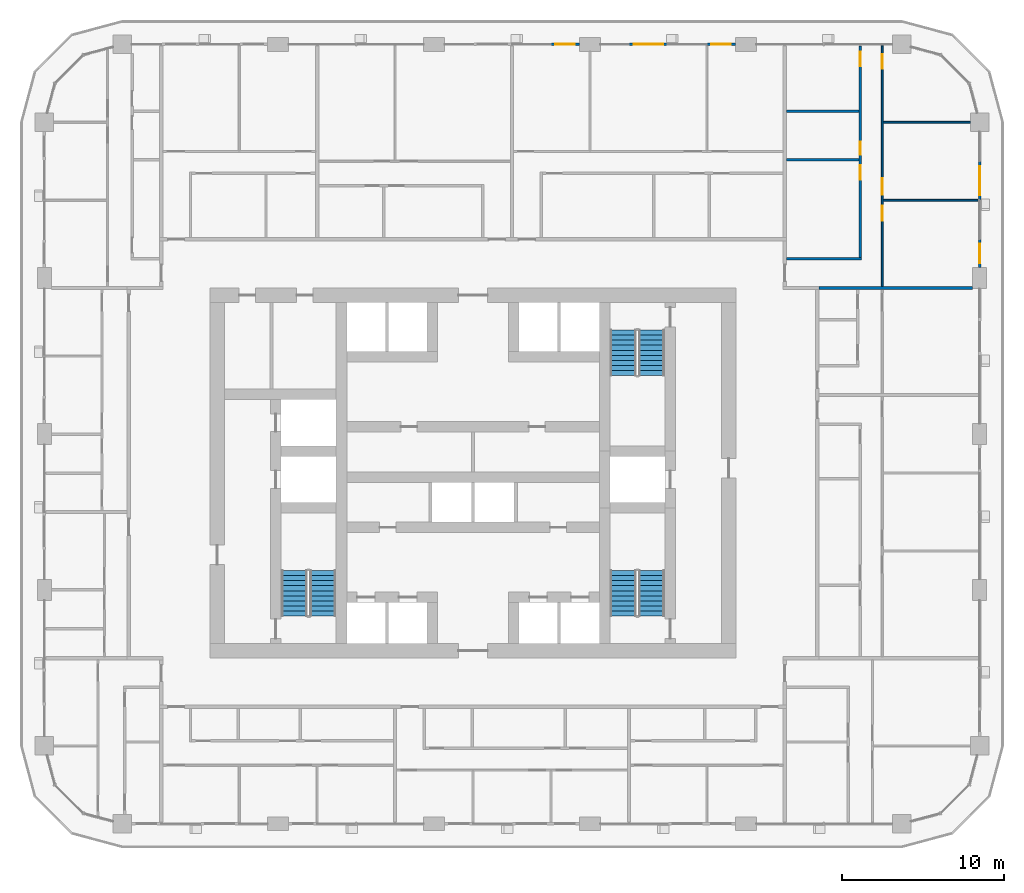
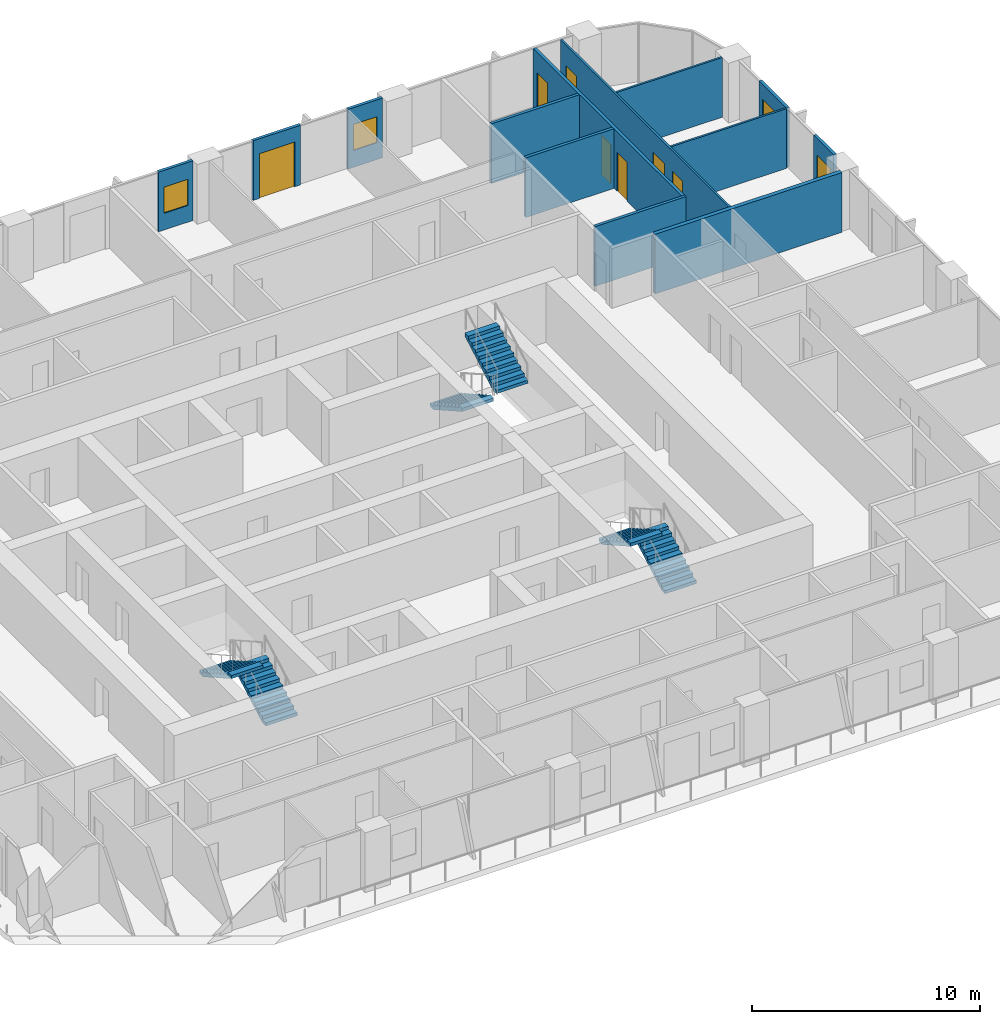
# One storey, part 15 of 21: 13 walls, 8 doors, 6 stair flights, 3 windows, 11 openings, 3 elements without a shape of their own.
"""IFC4 building model written with IfcOpenShell, lengths in metres."""

from ifc_helpers import new_model, si_unit, direction, frame, frame_2d, origin, place, context, subcontext, project, spatial, polyline, rectangle, outline, extrude, material, layer, layer_set, type_object, element, fill, aggregate, save


model = new_model("IFC4")

# Units and contexts
model_context = context("Model", 3, precision=1e-05, world=origin(), true_north=direction((0.0, 1.0)))
body_context = subcontext(model_context, "Body", "Model", "MODEL_VIEW")
ifc_project = project(units=[si_unit("LENGTHUNIT", "METRE"), si_unit("AREAUNIT", "SQUARE_METRE"), si_unit("VOLUMEUNIT", "CUBIC_METRE"), si_unit("PLANEANGLEUNIT", "RADIAN"), si_unit("MASSUNIT", "GRAM", prefix="KILO")], contexts=[model_context])

# Site, building, storey
site_placement = place(None, origin())
site = spatial("IfcSite", under=ifc_project, at=site_placement, CompositionType="ELEMENT")
building_placement = place(site_placement, origin())
building = spatial("IfcBuilding", under=site, at=building_placement, Name="Madar Terraces", CompositionType="ELEMENT")
storey_placement = place(building_placement, frame((0.0, 0.0, 106.699951171875)))
storey = spatial("IfcBuildingStorey", under=building, at=storey_placement, Name="L27", CompositionType="ELEMENT", Elevation=106.699951171875)

# Wall, opening, window
ifc_material_1 = material(Name="Aluminium composite panel, black, over insulated backing", Category="aluminium")
ifc_layer_1 = layer(ifc_material_1, 0.14990234375)
ifc_layer_set_1 = layer_set([ifc_layer_1], Name="Facade bay panel 150")
wall_type_1 = type_object("IfcWallType", Name="Facade bay panel 150", PredefinedType="SOLIDWALL", material=ifc_layer_set_1)
wall_1_placement = place(storey_placement, frame((62.39990234375, 39.050048828125, 0.0), z_axis=(0.0, 0.0, 1.0), x_axis=(0.0, 1.0, 0.0)))
wall_1 = element("IfcWall", 1, at=wall_1_placement, inside=storey, type_object=wall_type_1, Name="Facade bay panel", PredefinedType="SOLIDWALL", context=body_context, shape_type="SweptSolid", body=[
    extrude(rectangle(XDim=1.75, YDim=0.14990234375, at=frame_2d((0.875, 0.0))), origin(), (0.0, 0.0, 1.0), 3.199951171875),
])
opening_1_placement = place(wall_1_placement, frame((0.27490234375, 0.0, 0.89990234375)))
opening_1 = element("IfcOpeningElement", 2, at=opening_1_placement, cuts=wall_1, Name="Opening W1", PredefinedType="OPENING", context=body_context, shape_type="SweptSolid", body=[
    extrude(rectangle(XDim=1.199951171875, YDim=1.39990234375, at=frame_2d((0.60009765625, 0.699951171875))), frame((0.0, 0.0849609375, 0.0), z_axis=(0.0, -1.0, 0.0), x_axis=(1.0, 0.0, 0.0)), (0.0, 0.0, 1.0), 0.169921875),
])
ifc_material_2 = material(Name="Glass, clear, with black aluminium frame", Category="aluminium")
window_type = type_object("IfcWindowType", Name="Vent window 1200 x 1400", PartitioningType="SINGLE_PANEL", PredefinedType="WINDOW", material=ifc_material_2)
window_1_placement = place(opening_1_placement, origin())
window_1 = element("IfcWindow", 3, at=window_1_placement, inside=storey, type_object=window_type, Name="Operable vent window", OverallHeight=1.39990234375, OverallWidth=1.199951171875, PartitioningType="SINGLE_PANEL", PredefinedType="WINDOW", context=body_context, shape_type="SweptSolid", body=[
    extrude(rectangle(XDim=1.199951171875, YDim=1.39990234375, at=frame_2d((0.60009765625, 0.699951171875))), frame((0.0, 0.030029296875, 0.0), z_axis=(0.0, -1.0, 0.0), x_axis=(1.0, 0.0, 0.0)), (0.0, 0.0, 1.0), 0.06005859375),
])
fill(opening_1, window_1)

# Wall, opening, door
wall_2_placement = place(storey_placement, frame((62.39990234375, 43.199951171875, 0.0), z_axis=(0.0, 0.0, 1.0), x_axis=(0.0, 1.0, 0.0)))
wall_2 = element("IfcWall", 4, at=wall_2_placement, inside=storey, type_object=wall_type_1, Name="Facade bay panel", PredefinedType="SOLIDWALL", context=body_context, shape_type="SweptSolid", body=[
    extrude(rectangle(XDim=2.400146484375, YDim=0.14990234375, at=frame_2d((1.2001953125, 0.0))), origin(), (0.0, 0.0, 1.0), 3.199951171875),
])
opening_2_placement = place(wall_2_placement, frame((0.300048828125, 0.0, 0.0)))
opening_2 = element("IfcOpeningElement", 5, at=opening_2_placement, cuts=wall_2, Name="Opening ED1", PredefinedType="OPENING", context=body_context, shape_type="SweptSolid", body=[
    extrude(rectangle(XDim=1.800048828125, YDim=2.39990234375, at=frame_2d((0.89990234375, 1.199951171875))), frame((0.0, 0.0849609375, 0.0), z_axis=(0.0, -1.0, 0.0), x_axis=(1.0, 0.0, 0.0)), (0.0, 0.0, 1.0), 0.169921875),
])
ifc_material_3 = material(Name="Glass, clear, with black aluminium frame", Category="aluminium")
door_type_1 = type_object("IfcDoorType", Name="Balcony and terrace sliding door 1800 x 2400", OperationType="SLIDING_TO_LEFT", PredefinedType="DOOR", material=ifc_material_3)
door_1_placement = place(opening_2_placement, origin())
door_1 = element("IfcDoor", 6, at=door_1_placement, inside=storey, type_object=door_type_1, Name="Balcony door", OperationType="SLIDING_TO_LEFT", OverallHeight=2.39990234375, OverallWidth=1.800048828125, PredefinedType="DOOR", context=body_context, shape_type="SweptSolid", body=[
    extrude(rectangle(XDim=1.800048828125, YDim=2.39990234375, at=frame_2d((0.89990234375, 1.199951171875))), frame((0.0, 0.02490234375, 0.0), z_axis=(0.0, -1.0, 0.0), x_axis=(1.0, 0.0, 0.0)), (0.0, 0.0, 1.0), 0.050048828125),
])
fill(opening_2, door_1)

# Wall, opening, window
wall_3_placement = place(storey_placement, frame((47.35009765625, 52.800048828125, 0.0), z_axis=(0.0, 0.0, 1.0), x_axis=(-1.0, 0.0, 0.0)))
wall_3 = element("IfcWall", 7, at=wall_3_placement, inside=storey, type_object=wall_type_1, Name="Facade bay panel", PredefinedType="SOLIDWALL", context=body_context, shape_type="SweptSolid", body=[
    extrude(rectangle(XDim=1.75, YDim=0.14990234375, at=frame_2d((0.875, 0.0))), origin(), (0.0, 0.0, 1.0), 3.199951171875),
])
opening_3_placement = place(wall_3_placement, frame((0.27490234375, 0.0, 0.89990234375)))
opening_3 = element("IfcOpeningElement", 8, at=opening_3_placement, cuts=wall_3, Name="Opening W1", PredefinedType="OPENING", context=body_context, shape_type="SweptSolid", body=[
    extrude(rectangle(XDim=1.199951171875, YDim=1.39990234375, at=frame_2d((0.60009765625, 0.699951171875))), frame((0.0, 0.0849609375, 0.0), z_axis=(0.0, -1.0, 0.0), x_axis=(1.0, 0.0, 0.0)), (0.0, 0.0, 1.0), 0.169921875),
])
window_2_placement = place(opening_3_placement, origin())
window_2 = element("IfcWindow", 9, at=window_2_placement, inside=storey, type_object=window_type, Name="Operable vent window", OverallHeight=1.39990234375, OverallWidth=1.199951171875, PartitioningType="SINGLE_PANEL", PredefinedType="WINDOW", context=body_context, shape_type="SweptSolid", body=[
    extrude(rectangle(XDim=1.199951171875, YDim=1.39990234375, at=frame_2d((0.60009765625, 0.699951171875))), frame((0.0, 0.030029296875, 0.0), z_axis=(0.0, -1.0, 0.0), x_axis=(1.0, 0.0, 0.0)), (0.0, 0.0, 1.0), 0.06005859375),
])
fill(opening_3, window_2)

# Wall, opening, door
wall_4_placement = place(storey_placement, frame((43.199951171875, 52.800048828125, 0.0), z_axis=(0.0, 0.0, 1.0), x_axis=(-1.0, 0.0, 0.0)))
wall_4 = element("IfcWall", 10, at=wall_4_placement, inside=storey, type_object=wall_type_1, Name="Facade bay panel", PredefinedType="SOLIDWALL", context=body_context, shape_type="SweptSolid", body=[
    extrude(rectangle(XDim=2.39990234375, YDim=0.14990234375, at=frame_2d((1.199951171875, 0.0))), origin(), (0.0, 0.0, 1.0), 3.199951171875),
])
opening_4_placement = place(wall_4_placement, frame((0.300048828125, 0.0, 0.0)))
opening_4 = element("IfcOpeningElement", 11, at=opening_4_placement, cuts=wall_4, Name="Opening ED1", PredefinedType="OPENING", context=body_context, shape_type="SweptSolid", body=[
    extrude(rectangle(XDim=1.800048828125, YDim=2.39990234375, at=frame_2d((0.89990234375, 1.199951171875))), frame((0.0, 0.0849609375, 0.0), z_axis=(0.0, -1.0, 0.0), x_axis=(1.0, 0.0, 0.0)), (0.0, 0.0, 1.0), 0.169921875),
])
door_2_placement = place(opening_4_placement, origin())
door_2 = element("IfcDoor", 12, at=door_2_placement, inside=storey, type_object=door_type_1, Name="Balcony door", OperationType="SLIDING_TO_RIGHT", OverallHeight=2.39990234375, OverallWidth=1.800048828125, PredefinedType="DOOR", context=body_context, shape_type="SweptSolid", body=[
    extrude(rectangle(XDim=1.800048828125, YDim=2.39990234375, at=frame_2d((0.89990234375, 1.199951171875))), frame((0.0, 0.02490234375, 0.0), z_axis=(0.0, -1.0, 0.0), x_axis=(1.0, 0.0, 0.0)), (0.0, 0.0, 1.0), 0.050048828125),
])
fill(opening_4, door_2)

# Wall, opening, window
wall_5_placement = place(storey_placement, frame((37.75, 52.800048828125, 0.0), z_axis=(0.0, 0.0, 1.0), x_axis=(-1.0, 0.0, 0.0)))
wall_5 = element("IfcWall", 13, at=wall_5_placement, inside=storey, type_object=wall_type_1, Name="Facade bay panel", PredefinedType="SOLIDWALL", context=body_context, shape_type="SweptSolid", body=[
    extrude(rectangle(XDim=1.75, YDim=0.14990234375, at=frame_2d((0.875, 0.0))), origin(), (0.0, 0.0, 1.0), 3.199951171875),
])
opening_5_placement = place(wall_5_placement, frame((0.27490234375, 0.0, 0.89990234375)))
opening_5 = element("IfcOpeningElement", 14, at=opening_5_placement, cuts=wall_5, Name="Opening W1", PredefinedType="OPENING", context=body_context, shape_type="SweptSolid", body=[
    extrude(rectangle(XDim=1.199951171875, YDim=1.39990234375, at=frame_2d((0.60009765625, 0.699951171875))), frame((0.0, 0.0849609375, 0.0), z_axis=(0.0, -1.0, 0.0), x_axis=(1.0, 0.0, 0.0)), (0.0, 0.0, 1.0), 0.169921875),
])
window_3_placement = place(opening_5_placement, origin())
window_3 = element("IfcWindow", 15, at=window_3_placement, inside=storey, type_object=window_type, Name="Operable vent window", OverallHeight=1.39990234375, OverallWidth=1.199951171875, PartitioningType="SINGLE_PANEL", PredefinedType="WINDOW", context=body_context, shape_type="SweptSolid", body=[
    extrude(rectangle(XDim=1.199951171875, YDim=1.39990234375, at=frame_2d((0.60009765625, 0.699951171875))), frame((0.0, 0.030029296875, 0.0), z_axis=(0.0, -1.0, 0.0), x_axis=(1.0, 0.0, 0.0)), (0.0, 0.0, 1.0), 0.06005859375),
])
fill(opening_5, window_3)

# Walls
ifc_material_4 = material(Name="Gypsum board on steel studs", Category="steel")
ifc_layer_2 = layer(ifc_material_4, 0.10009765625)
ifc_layer_set_2 = layer_set([ifc_layer_2], Name="Flat partition 100")
wall_type_2 = type_object("IfcWallType", Name="Flat partition 100", PredefinedType="PARTITIONING", material=ifc_layer_set_2)
wall_6_placement = place(storey_placement, frame((56.449951171875, 43.199951171875, 0.0), z_axis=(0.0, 0.0, 1.0), x_axis=(1.0, 0.0, 0.0)))
element("IfcWall", 16, at=wall_6_placement, inside=storey, type_object=wall_type_2, Name="Flat partition 100", PredefinedType="PARTITIONING", context=body_context, shape_type="SweptSolid", body=[
    extrude(rectangle(XDim=5.85009765625, YDim=0.10009765625, at=frame_2d((2.925048828125, 0.0))), origin(), (0.0, 0.0, 1.0), 3.199951171875),
])
wall_7_placement = place(storey_placement, frame((56.449951171875, 48.0, 0.0), z_axis=(0.0, 0.0, 1.0), x_axis=(1.0, 0.0, 0.0)))
element("IfcWall", 17, at=wall_7_placement, inside=storey, type_object=wall_type_2, Name="Flat partition 100", PredefinedType="PARTITIONING", context=body_context, shape_type="SweptSolid", body=[
    extrude(rectangle(XDim=5.375, YDim=0.10009765625, at=frame_2d((2.6875, 0.0))), origin(), (0.0, 0.0, 1.0), 3.199951171875),
])

# Wall, openings, doors
wall_8_placement = place(storey_placement, frame((56.39990234375, 52.699951171875, 0.0), z_axis=(0.0, 0.0, 1.0), x_axis=(0.0, -1.0, 0.0)))
wall_8 = element("IfcWall", 18, at=wall_8_placement, inside=storey, type_object=wall_type_2, Name="Flat partition 100", PredefinedType="PARTITIONING", context=body_context, shape_type="SweptSolid", body=[
    extrude(rectangle(XDim=14.800048828125, YDim=0.10009765625, at=frame_2d((7.39990234375, 0.0))), origin(), (0.0, 0.0, 1.0), 3.199951171875),
])
opening_6_placement = place(wall_8_placement, frame((9.85009765625, 0.0, 0.0)))
opening_6 = element("IfcOpeningElement", 19, at=opening_6_placement, cuts=wall_8, Name="Opening D2", PredefinedType="OPENING", context=body_context, shape_type="SweptSolid", body=[
    extrude(rectangle(XDim=0.89990234375, YDim=2.10009765625, at=frame_2d((0.449951171875, 1.050048828125))), frame((0.0, 0.06005859375, 0.0), z_axis=(0.0, -1.0, 0.0), x_axis=(1.0, 0.0, 0.0)), (0.0, 0.0, 1.0), 0.1201171875),
])
opening_7_placement = place(wall_8_placement, frame((8.14990234375, 0.0, 0.0)))
opening_7 = element("IfcOpeningElement", 20, at=opening_7_placement, cuts=wall_8, Name="Opening D3", PredefinedType="OPENING", context=body_context, shape_type="SweptSolid", body=[
    extrude(rectangle(XDim=1.0, YDim=2.10009765625, at=frame_2d((0.5, 1.050048828125))), frame((0.0, 0.06005859375, 0.0), z_axis=(0.0, -1.0, 0.0), x_axis=(1.0, 0.0, 0.0)), (0.0, 0.0, 1.0), 0.1201171875),
])
opening_8_placement = place(wall_8_placement, frame((0.5, 0.0, 0.0)))
opening_8 = element("IfcOpeningElement", 21, at=opening_8_placement, cuts=wall_8, Name="Opening D2", PredefinedType="OPENING", context=body_context, shape_type="SweptSolid", body=[
    extrude(rectangle(XDim=0.89990234375, YDim=2.10009765625, at=frame_2d((0.449951171875, 1.050048828125))), frame((0.0, 0.06005859375, 0.0), z_axis=(0.0, -1.0, 0.0), x_axis=(1.0, 0.0, 0.0)), (0.0, 0.0, 1.0), 0.1201171875),
])
ifc_material_5 = material(Name="Timber door leaf", Category="wood")
door_type_2 = type_object("IfcDoorType", Name="Flat living room door 1000", OperationType="NOTDEFINED", PredefinedType="DOOR", material=ifc_material_5)
door_3_placement = place(opening_7_placement, origin())
door_3 = element("IfcDoor", 22, at=door_3_placement, inside=storey, type_object=door_type_2, Name="Flat living room door 1000", OperationType="SINGLE_SWING_RIGHT", OverallHeight=2.10009765625, OverallWidth=1.0, PredefinedType="DOOR", context=body_context, shape_type="SweptSolid", body=[
    extrude(rectangle(XDim=1.0, YDim=2.10009765625, at=frame_2d((0.5, 1.050048828125))), frame((0.0, 0.02490234375, 0.0), z_axis=(0.0, -1.0, 0.0), x_axis=(1.0, 0.0, 0.0)), (0.0, 0.0, 1.0), 0.050048828125),
])
fill(opening_7, door_3)
ifc_material_6 = material(Name="Timber door leaf", Category="wood")
door_type_3 = type_object("IfcDoorType", Name="Flat room door 900", OperationType="NOTDEFINED", PredefinedType="DOOR", material=ifc_material_6)
door_4_placement = place(opening_6_placement, origin())
door_4 = element("IfcDoor", 23, at=door_4_placement, inside=storey, type_object=door_type_3, Name="Flat room door 900", OperationType="SINGLE_SWING_LEFT", OverallHeight=2.10009765625, OverallWidth=0.89990234375, PredefinedType="DOOR", context=body_context, shape_type="SweptSolid", body=[
    extrude(rectangle(XDim=0.89990234375, YDim=2.10009765625, at=frame_2d((0.449951171875, 1.050048828125))), frame((0.0, 0.02490234375, 0.0), z_axis=(0.0, -1.0, 0.0), x_axis=(1.0, 0.0, 0.0)), (0.0, 0.0, 1.0), 0.050048828125),
])
fill(opening_6, door_4)
door_5_placement = place(opening_8_placement, origin())
door_5 = element("IfcDoor", 24, at=door_5_placement, inside=storey, type_object=door_type_3, Name="Flat room door 900", OperationType="SINGLE_SWING_LEFT", OverallHeight=2.10009765625, OverallWidth=0.89990234375, PredefinedType="DOOR", context=body_context, shape_type="SweptSolid", body=[
    extrude(rectangle(XDim=0.89990234375, YDim=2.10009765625, at=frame_2d((0.449951171875, 1.050048828125))), frame((0.0, 0.02490234375, 0.0), z_axis=(0.0, -1.0, 0.0), x_axis=(1.0, 0.0, 0.0)), (0.0, 0.0, 1.0), 0.050048828125),
])
fill(opening_8, door_5)

# Walls
ifc_material_7 = material(Name="Lightweight blockwork", Category="masonry")
ifc_layer_3 = layer(ifc_material_7, 0.199951171875)
ifc_layer_set_3 = layer_set([ifc_layer_3], Name="Flat party and entrance wall 200")
wall_type_3 = type_object("IfcWallType", Name="Flat party and entrance wall 200", PredefinedType="PARTITIONING", material=ifc_layer_set_3)
wall_9_placement = place(storey_placement, frame((52.5, 37.800048828125, 0.0), z_axis=(0.0, 0.0, 1.0), x_axis=(1.0, 0.0, 0.0)))
element("IfcWall", 25, at=wall_9_placement, inside=storey, type_object=wall_type_3, Name="Flat party and entrance wall 200", PredefinedType="PARTITIONING", context=body_context, shape_type="SweptSolid", body=[
    extrude(rectangle(XDim=9.47509765625, YDim=0.199951171875, at=frame_2d((4.737548828125, 0.0))), origin(), (0.0, 0.0, 1.0), 3.199951171875),
])
ifc_material_8 = material(Name="Lightweight blockwork", Category="masonry")
ifc_layer_4 = layer(ifc_material_8, 0.14990234375)
ifc_layer_set_4 = layer_set([ifc_layer_4], Name="Flat wet-room partition 150")
wall_type_4 = type_object("IfcWallType", Name="Flat wet-room partition 150", PredefinedType="PARTITIONING", material=ifc_layer_set_4)
for number, where, z_axis, x_axis, name in (
    (26, (50.5, 45.6865234375, 0.0), (0.0, 0.0, 1.0), (1.0, 0.0, 0.0), "Flat wet-room partition 150"),
    (27, (50.5, 48.6923828125, 0.0), (0.0, 0.0, 1.0), (1.0, 0.0, 0.0), "Flat wet-room partition 150"),
):
    element("IfcWall", number, at=place(storey_placement, frame(where, z_axis=z_axis, x_axis=x_axis)), inside=storey, type_object=wall_type_4, Name=name, PredefinedType="PARTITIONING", context=body_context, shape_type="SweptSolid", body=[
        extrude(rectangle(XDim=4.47509765625, YDim=0.14990234375, at=frame_2d((2.237548828125, 0.0))), origin(), (0.0, 0.0, 1.0), 3.199951171875),
    ])
wall_10_placement = place(storey_placement, frame((50.5, 39.60009765625, 0.0), z_axis=(0.0, 0.0, 1.0), x_axis=(1.0, 0.0, 0.0)))
element("IfcWall", 28, at=wall_10_placement, inside=storey, type_object=wall_type_4, Name="Flat wet-room partition 150", PredefinedType="PARTITIONING", context=body_context, shape_type="SweptSolid", body=[
    extrude(rectangle(XDim=4.625, YDim=0.14990234375, at=frame_2d((2.3125, 0.0))), origin(), (0.0, 0.0, 1.0), 3.199951171875),
])

# Wall, openings, doors
wall_11_placement = place(storey_placement, frame((55.050048828125, 39.675048828125, 0.0), z_axis=(0.0, 0.0, 1.0), x_axis=(0.0, 1.0, 0.0)))
wall_11 = element("IfcWall", 29, at=wall_11_placement, inside=storey, type_object=wall_type_4, Name="Flat wet-room partition 150", PredefinedType="PARTITIONING", context=body_context, shape_type="SweptSolid", body=[
    extrude(rectangle(XDim=13.02490234375, YDim=0.14990234375, at=frame_2d((6.512451171875, 0.0))), origin(), (0.0, 0.0, 1.0), 3.199951171875),
])
opening_9_placement = place(wall_11_placement, frame((4.78662109375, 0.0, 0.0)))
opening_9 = element("IfcOpeningElement", 30, at=opening_9_placement, cuts=wall_11, Name="Opening D2", PredefinedType="OPENING", context=body_context, shape_type="SweptSolid", body=[
    extrude(rectangle(XDim=0.89990234375, YDim=2.10009765625, at=frame_2d((0.449951171875, 1.050048828125))), frame((0.0, 0.0849609375, 0.0), z_axis=(0.0, -1.0, 0.0), x_axis=(1.0, 0.0, 0.0)), (0.0, 0.0, 1.0), 0.169921875),
])
opening_10_placement = place(wall_11_placement, frame((6.33642578125, 0.0, 0.0)))
opening_10 = element("IfcOpeningElement", 31, at=opening_10_placement, cuts=wall_11, Name="Opening D4", PredefinedType="OPENING", context=body_context, shape_type="SweptSolid", body=[
    extrude(rectangle(XDim=0.800048828125, YDim=2.10009765625, at=frame_2d((0.39990234375, 1.050048828125))), frame((0.0, 0.0849609375, 0.0), z_axis=(0.0, -1.0, 0.0), x_axis=(1.0, 0.0, 0.0)), (0.0, 0.0, 1.0), 0.169921875),
])
opening_11_placement = place(wall_11_placement, frame((11.77490234375, 0.0, 0.0)))
opening_11 = element("IfcOpeningElement", 32, at=opening_11_placement, cuts=wall_11, Name="Opening D5", PredefinedType="OPENING", context=body_context, shape_type="SweptSolid", body=[
    extrude(rectangle(XDim=0.89990234375, YDim=2.10009765625, at=frame_2d((0.449951171875, 1.050048828125))), frame((0.0, 0.0849609375, 0.0), z_axis=(0.0, -1.0, 0.0), x_axis=(1.0, 0.0, 0.0)), (0.0, 0.0, 1.0), 0.169921875),
])
ifc_material_9 = material(Name="Timber door leaf", Category="wood")
door_type_4 = type_object("IfcDoorType", Name="Flat accessible bathroom door 900", OperationType="NOTDEFINED", PredefinedType="DOOR", material=ifc_material_9)
door_6_placement = place(opening_11_placement, origin())
door_6 = element("IfcDoor", 33, at=door_6_placement, inside=storey, type_object=door_type_4, Name="Flat accessible bathroom door 900", OperationType="SINGLE_SWING_RIGHT", OverallHeight=2.10009765625, OverallWidth=0.89990234375, PredefinedType="DOOR", context=body_context, shape_type="SweptSolid", body=[
    extrude(rectangle(XDim=0.89990234375, YDim=2.10009765625, at=frame_2d((0.449951171875, 1.050048828125))), frame((0.0, 0.02490234375, 0.0), z_axis=(0.0, -1.0, 0.0), x_axis=(1.0, 0.0, 0.0)), (0.0, 0.0, 1.0), 0.050048828125),
])
fill(opening_11, door_6)
ifc_material_10 = material(Name="Timber door leaf", Category="wood")
door_type_5 = type_object("IfcDoorType", Name="Flat bathroom door 800", OperationType="NOTDEFINED", PredefinedType="DOOR", material=ifc_material_10)
door_7_placement = place(opening_10_placement, origin())
door_7 = element("IfcDoor", 34, at=door_7_placement, inside=storey, type_object=door_type_5, Name="Flat bathroom door 800", OperationType="SINGLE_SWING_LEFT", OverallHeight=2.10009765625, OverallWidth=0.800048828125, PredefinedType="DOOR", context=body_context, shape_type="SweptSolid", body=[
    extrude(rectangle(XDim=0.800048828125, YDim=2.10009765625, at=frame_2d((0.39990234375, 1.050048828125))), frame((0.0, 0.02490234375, 0.0), z_axis=(0.0, -1.0, 0.0), x_axis=(1.0, 0.0, 0.0)), (0.0, 0.0, 1.0), 0.050048828125),
])
fill(opening_10, door_7)
door_8_placement = place(opening_9_placement, origin())
door_8 = element("IfcDoor", 35, at=door_8_placement, inside=storey, type_object=door_type_3, Name="Flat room door 900", OperationType="SINGLE_SWING_RIGHT", OverallHeight=2.10009765625, OverallWidth=0.89990234375, PredefinedType="DOOR", context=body_context, shape_type="SweptSolid", body=[
    extrude(rectangle(XDim=0.89990234375, YDim=2.10009765625, at=frame_2d((0.449951171875, 1.050048828125))), frame((0.0, 0.02490234375, 0.0), z_axis=(0.0, -1.0, 0.0), x_axis=(1.0, 0.0, 0.0)), (0.0, 0.0, 1.0), 0.050048828125),
])
fill(opening_9, door_8)

# Stair, stair flights
ifc_material_11 = material(Name="Concrete C50/60", Category="concrete")
stair_type_1 = type_object("IfcStairType", Name="Stair ST1 protected exit", PredefinedType="HALF_TURN_STAIR", material=ifc_material_11)
stair_1_placement = place(storey_placement, origin())
stair_1 = element("IfcStair", 36, at=stair_1_placement, inside=storey, type_object=stair_type_1, Name="L27 Protected Exit Stair ST1", PredefinedType="HALF_TURN_STAIR")
ifc_material_12 = material(Name="Concrete C50/60", Category="concrete")
stair_flight_type_1 = type_object("IfcStairFlightType", Name="Stair flight ST1-F4, 1600 wide, 10 risers", PredefinedType="STRAIGHT", material=ifc_material_12)
stair_flight_1_placement = place(storey_placement, frame((21.949951171875, 17.60009765625, 0.0), z_axis=(0.0, 0.0, 1.0), x_axis=(0.0, 1.0, 0.0)))
stair_flight_1 = element("IfcStairFlight", 37, at=stair_flight_1_placement, type_object=stair_flight_type_1, Name="ST1 flight 1", NumberOfRisers=10, NumberOfTreads=9, PredefinedType="STRAIGHT", RiserHeight=0.175, TreadLength=0.31, context=body_context, shape_type="SweptSolid", body=[
    extrude(outline(polyline([(0.0, 0.0), (0.0, 0.175048828125), (0.31005859375, 0.175048828125), (0.31005859375, 0.35009765625), (0.6201171875, 0.35009765625), (0.6201171875, 0.52490234375), (0.929931640625, 0.52490234375), (0.929931640625, 0.699951171875), (1.239990234375, 0.699951171875), (1.239990234375, 0.875), (1.550048828125, 0.875), (1.550048828125, 1.050048828125), (1.860107421875, 1.050048828125), (1.860107421875, 1.22509765625), (2.169921875, 1.22509765625), (2.169921875, 1.39990234375), (2.47998046875, 1.39990234375), (2.47998046875, 1.574951171875), (2.7900390625, 1.574951171875), (2.7900390625, 1.75), (2.7900390625, 1.40283203125), (0.304931640625, 0.0), (0.0, 0.0)])), frame((0.0, 0.800048828125, 0.0), z_axis=(0.0, -1.0, 0.0), x_axis=(1.0, 0.0, 0.0)), (0.0, 0.0, 1.0), 1.60009765625),
])
stair_flight_2_placement = place(storey_placement, frame((20.199951171875, 20.389892578125, 1.75), z_axis=(0.0, 0.0, 1.0), x_axis=(0.0, -1.0, 0.0)))
stair_flight_2 = element("IfcStairFlight", 38, at=stair_flight_2_placement, type_object=stair_flight_type_1, Name="ST1 flight 2", NumberOfRisers=10, NumberOfTreads=9, PredefinedType="STRAIGHT", RiserHeight=0.175, TreadLength=0.31, context=body_context, shape_type="SweptSolid", body=[
    extrude(outline(polyline([(0.0, 0.0), (0.0, 0.175048828125), (0.31005859375, 0.175048828125), (0.31005859375, 0.35009765625), (0.6201171875, 0.35009765625), (0.6201171875, 0.52490234375), (0.929931640625, 0.52490234375), (0.929931640625, 0.699951171875), (1.239990234375, 0.699951171875), (1.239990234375, 0.875), (1.550048828125, 0.875), (1.550048828125, 1.050048828125), (1.860107421875, 1.050048828125), (1.860107421875, 1.22509765625), (2.169921875, 1.22509765625), (2.169921875, 1.39990234375), (2.47998046875, 1.39990234375), (2.47998046875, 1.574951171875), (2.7900390625, 1.574951171875), (2.7900390625, 1.75), (2.7900390625, 1.40283203125), (0.304931640625, 0.0), (0.0, 0.0)])), frame((0.0, 0.800048828125, 0.0), z_axis=(0.0, -1.0, 0.0), x_axis=(1.0, 0.0, 0.0)), (0.0, 0.0, 1.0), 1.60009765625),
])
aggregate(stair_1, [stair_flight_1, stair_flight_2])

ifc_material_13 = material(Name="Concrete C50/60", Category="concrete")
stair_type_2 = type_object("IfcStairType", Name="Stair ST2 protected exit", PredefinedType="HALF_TURN_STAIR", material=ifc_material_13)
stair_2_placement = place(storey_placement, origin())
stair_2 = element("IfcStair", 39, at=stair_2_placement, inside=storey, type_object=stair_type_2, Name="L27 Protected Exit Stair ST2", PredefinedType="HALF_TURN_STAIR")
ifc_material_14 = material(Name="Concrete C50/60", Category="concrete")
stair_flight_type_2 = type_object("IfcStairFlightType", Name="Stair flight ST2-F4, 1600 wide, 10 risers", PredefinedType="STRAIGHT", material=ifc_material_14)
stair_flight_3_placement = place(storey_placement, frame((40.449951171875, 35.199951171875, 0.0), z_axis=(0.0, 0.0, 1.0), x_axis=(0.0, -1.0, 0.0)))
stair_flight_3 = element("IfcStairFlight", 40, at=stair_flight_3_placement, type_object=stair_flight_type_2, Name="ST2 flight 1", NumberOfRisers=10, NumberOfTreads=9, PredefinedType="STRAIGHT", RiserHeight=0.175, TreadLength=0.31, context=body_context, shape_type="SweptSolid", body=[
    extrude(outline(polyline([(0.0, 0.0), (0.0, 0.175048828125), (0.31005859375, 0.175048828125), (0.31005859375, 0.35009765625), (0.6201171875, 0.35009765625), (0.6201171875, 0.52490234375), (0.929931640625, 0.52490234375), (0.929931640625, 0.699951171875), (1.239990234375, 0.699951171875), (1.239990234375, 0.875), (1.550048828125, 0.875), (1.550048828125, 1.050048828125), (1.860107421875, 1.050048828125), (1.860107421875, 1.22509765625), (2.169921875, 1.22509765625), (2.169921875, 1.39990234375), (2.47998046875, 1.39990234375), (2.47998046875, 1.574951171875), (2.7900390625, 1.574951171875), (2.7900390625, 1.75), (2.7900390625, 1.40283203125), (0.304931640625, 0.0), (0.0, 0.0)])), frame((0.0, 0.800048828125, 0.0), z_axis=(0.0, -1.0, 0.0), x_axis=(1.0, 0.0, 0.0)), (0.0, 0.0, 1.0), 1.60009765625),
])
stair_flight_4_placement = place(storey_placement, frame((42.199951171875, 32.409912109375, 1.75), z_axis=(0.0, 0.0, 1.0), x_axis=(0.0, 1.0, 0.0)))
stair_flight_4 = element("IfcStairFlight", 41, at=stair_flight_4_placement, type_object=stair_flight_type_2, Name="ST2 flight 2", NumberOfRisers=10, NumberOfTreads=9, PredefinedType="STRAIGHT", RiserHeight=0.175, TreadLength=0.31, context=body_context, shape_type="SweptSolid", body=[
    extrude(outline(polyline([(0.0, 0.0), (0.0, 0.175048828125), (0.31005859375, 0.175048828125), (0.31005859375, 0.35009765625), (0.6201171875, 0.35009765625), (0.6201171875, 0.52490234375), (0.929931640625, 0.52490234375), (0.929931640625, 0.699951171875), (1.239990234375, 0.699951171875), (1.239990234375, 0.875), (1.550048828125, 0.875), (1.550048828125, 1.050048828125), (1.860107421875, 1.050048828125), (1.860107421875, 1.22509765625), (2.169921875, 1.22509765625), (2.169921875, 1.39990234375), (2.47998046875, 1.39990234375), (2.47998046875, 1.574951171875), (2.7900390625, 1.574951171875), (2.7900390625, 1.75), (2.7900390625, 1.40283203125), (0.304931640625, 0.0), (0.0, 0.0)])), frame((0.0, 0.800048828125, 0.0), z_axis=(0.0, -1.0, 0.0), x_axis=(1.0, 0.0, 0.0)), (0.0, 0.0, 1.0), 1.60009765625),
])
aggregate(stair_2, [stair_flight_3, stair_flight_4])

ifc_material_15 = material(Name="Concrete C50/60", Category="concrete")
stair_type_3 = type_object("IfcStairType", Name="Stair ST3 protected exit", PredefinedType="HALF_TURN_STAIR", material=ifc_material_15)
stair_3_placement = place(storey_placement, origin())
stair_3 = element("IfcStair", 42, at=stair_3_placement, inside=storey, type_object=stair_type_3, Name="L27 Protected Exit Stair ST3", PredefinedType="HALF_TURN_STAIR")
ifc_material_16 = material(Name="Concrete C50/60", Category="concrete")
stair_flight_type_3 = type_object("IfcStairFlightType", Name="Stair flight ST3-F4, 1600 wide, 10 risers", PredefinedType="STRAIGHT", material=ifc_material_16)
stair_flight_5_placement = place(storey_placement, frame((42.199951171875, 17.60009765625, 0.0), z_axis=(0.0, 0.0, 1.0), x_axis=(0.0, 1.0, 0.0)))
stair_flight_5 = element("IfcStairFlight", 43, at=stair_flight_5_placement, type_object=stair_flight_type_3, Name="ST3 flight 1", NumberOfRisers=10, NumberOfTreads=9, PredefinedType="STRAIGHT", RiserHeight=0.175, TreadLength=0.31, context=body_context, shape_type="SweptSolid", body=[
    extrude(outline(polyline([(0.0, 0.0), (0.0, 0.175048828125), (0.31005859375, 0.175048828125), (0.31005859375, 0.35009765625), (0.6201171875, 0.35009765625), (0.6201171875, 0.52490234375), (0.929931640625, 0.52490234375), (0.929931640625, 0.699951171875), (1.239990234375, 0.699951171875), (1.239990234375, 0.875), (1.550048828125, 0.875), (1.550048828125, 1.050048828125), (1.860107421875, 1.050048828125), (1.860107421875, 1.22509765625), (2.169921875, 1.22509765625), (2.169921875, 1.39990234375), (2.47998046875, 1.39990234375), (2.47998046875, 1.574951171875), (2.7900390625, 1.574951171875), (2.7900390625, 1.75), (2.7900390625, 1.40283203125), (0.304931640625, 0.0), (0.0, 0.0)])), frame((0.0, 0.800048828125, 0.0), z_axis=(0.0, -1.0, 0.0), x_axis=(1.0, 0.0, 0.0)), (0.0, 0.0, 1.0), 1.60009765625),
])
stair_flight_6_placement = place(storey_placement, frame((40.449951171875, 20.389892578125, 1.75), z_axis=(0.0, 0.0, 1.0), x_axis=(0.0, -1.0, 0.0)))
stair_flight_6 = element("IfcStairFlight", 44, at=stair_flight_6_placement, type_object=stair_flight_type_3, Name="ST3 flight 2", NumberOfRisers=10, NumberOfTreads=9, PredefinedType="STRAIGHT", RiserHeight=0.175, TreadLength=0.31, context=body_context, shape_type="SweptSolid", body=[
    extrude(outline(polyline([(0.0, 0.0), (0.0, 0.175048828125), (0.31005859375, 0.175048828125), (0.31005859375, 0.35009765625), (0.6201171875, 0.35009765625), (0.6201171875, 0.52490234375), (0.929931640625, 0.52490234375), (0.929931640625, 0.699951171875), (1.239990234375, 0.699951171875), (1.239990234375, 0.875), (1.550048828125, 0.875), (1.550048828125, 1.050048828125), (1.860107421875, 1.050048828125), (1.860107421875, 1.22509765625), (2.169921875, 1.22509765625), (2.169921875, 1.39990234375), (2.47998046875, 1.39990234375), (2.47998046875, 1.574951171875), (2.7900390625, 1.574951171875), (2.7900390625, 1.75), (2.7900390625, 1.40283203125), (0.304931640625, 0.0), (0.0, 0.0)])), frame((0.0, 0.800048828125, 0.0), z_axis=(0.0, -1.0, 0.0), x_axis=(1.0, 0.0, 0.0)), (0.0, 0.0, 1.0), 1.60009765625),
])
aggregate(stair_3, [stair_flight_5, stair_flight_6])

save(model, "model.ifc")
